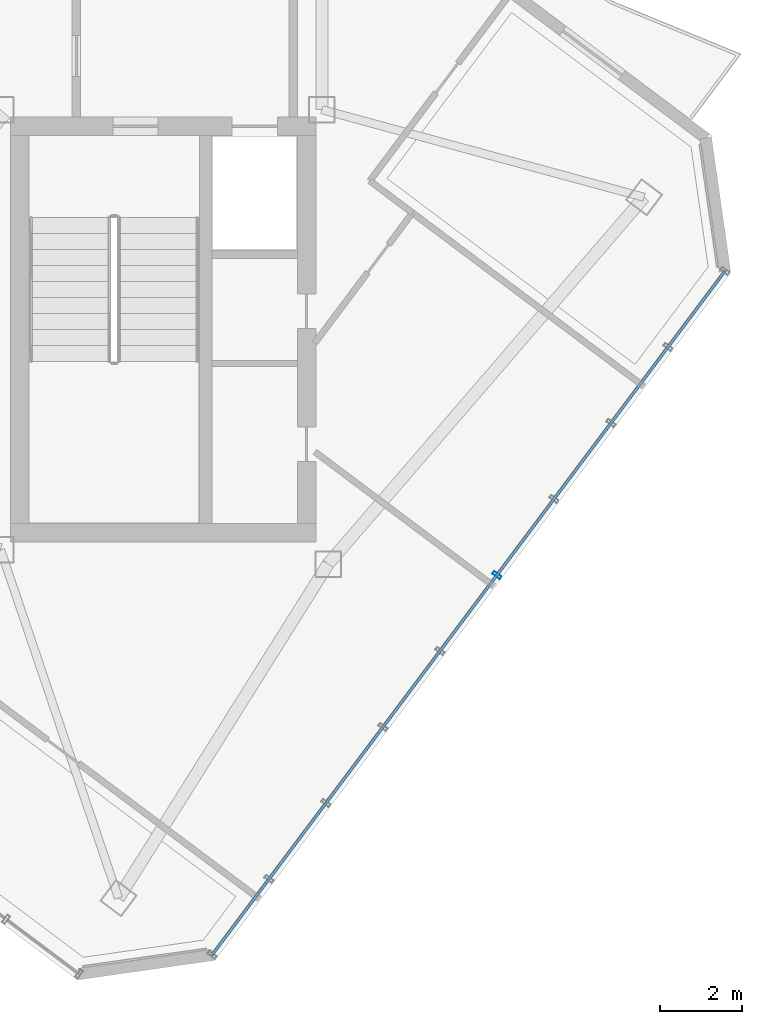
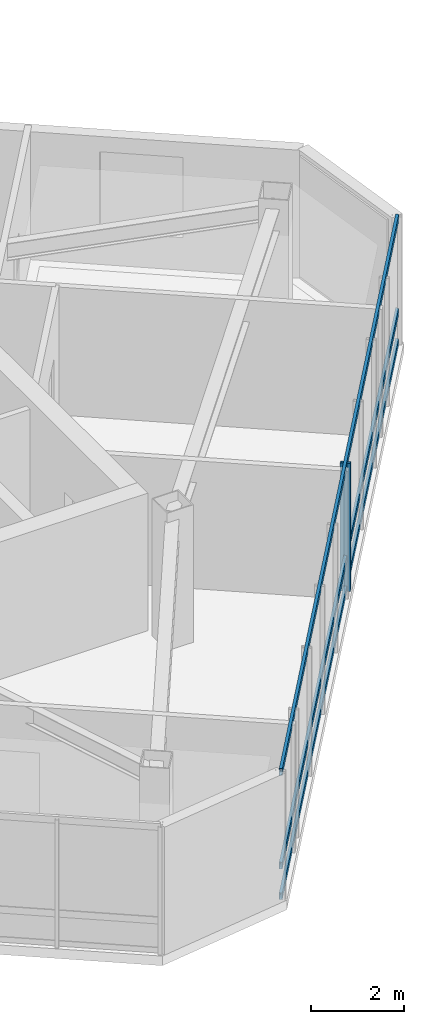
# One storey, part 6 of 17: 4 members, 1 element without a shape of its own.
"""IFC4 building model written with IfcOpenShell, lengths in metres."""

from ifc_helpers import new_model, si_unit, direction, frame, origin, origin_2d, place, context, subcontext, project, spatial, hollow_rectangle, extrude, material, layer, layer_set, material_profile, profile_set, type_object, element, aggregate, save


model = new_model("IFC4")

# Units and contexts
model_context = context("Model", 3, precision=1e-05, world=origin(), true_north=direction((0.0, 1.0)))
body_context = subcontext(model_context, "Body", "Model", "MODEL_VIEW")
ifc_project = project(units=[si_unit("LENGTHUNIT", "METRE"), si_unit("AREAUNIT", "SQUARE_METRE"), si_unit("VOLUMEUNIT", "CUBIC_METRE"), si_unit("PLANEANGLEUNIT", "RADIAN"), si_unit("MASSUNIT", "GRAM", prefix="KILO")], contexts=[model_context])

# Site, building, storey
site_placement = place(None, origin())
site = spatial("IfcSite", under=ifc_project, at=site_placement, CompositionType="ELEMENT")
building_placement = place(site_placement, origin())
building = spatial("IfcBuilding", under=site, at=building_placement, Name="Hatsunagi Terrace Concourse", CompositionType="ELEMENT")
storey_placement = place(building_placement, frame((0.0, 0.0, 253.949951171875)))
storey = spatial("IfcBuildingStorey", under=building, at=storey_placement, Name="L67", CompositionType="ELEMENT", Elevation=253.949951171875)

# Curtain wall, members
ifc_material_1 = material(Name="Anodised Aluminium Alloy 6063-T5", Category="aluminium")
ifc_layer = layer(ifc_material_1, 0.199951171875)
ifc_layer_set = layer_set([ifc_layer], Name="SkyLobbyAtrium_CW05")
curtain_wall_type = type_object("IfcCurtainWallType", Name="SkyLobbyAtrium_CW05", PredefinedType="NOTDEFINED", material=ifc_layer_set)
curtain_wall_placement = place(storey_placement, origin())
curtain_wall = element("IfcCurtainWall", 1, at=curtain_wall_placement, inside=storey, type_object=curtain_wall_type, Name="Unitised Curtain Wall CW-05 CW-L67-03", PredefinedType="NOTDEFINED")
ifc_material_2 = material(Name="Anodised Aluminium Alloy 6063-T5", Category="aluminium")
ifc_material_profile_1 = material_profile(ifc_material_2, hollow_rectangle(XDim=0.080078125, YDim=0.219970703125, WallThickness=0.0048828125, at=origin_2d()), Name="ALU-MUL-220x80x5")
ifc_profile_set_1 = profile_set([ifc_material_profile_1], Name="Anodised Aluminium Alloy 6063-T5")
member_type_1 = type_object("IfcMemberType", Name="CurtainWallMullion_Heavy_220x80", PredefinedType="MULLION", material=ifc_profile_set_1)
member_1_placement = place(storey_placement, frame((47.924072265625, 23.931884765625, 0.0), z_axis=(0.0, 0.0, 1.0), x_axis=(-0.599969314634, -0.800023013105, 0.0)))
member_1 = element("IfcMember", 2, at=member_1_placement, type_object=member_type_1, Name="Curtain Wall Mullion MUL-01", PredefinedType="MULLION", context=body_context, shape_type="SweptSolid", body=[
    extrude(hollow_rectangle(XDim=0.080078125, YDim=0.219970703125, WallThickness=0.0048828125, at=origin_2d()), origin(), (0.0, 0.0, 1.0), 3.35009765625),
])
ifc_material_3 = material(Name="Anodised Aluminium Alloy 6063-T5", Category="aluminium")
ifc_material_profile_2 = material_profile(ifc_material_3, hollow_rectangle(XDim=0.070068359375, YDim=0.179931640625, WallThickness=0.00390625, at=origin_2d()), Name="ALU-TRN-180x70x4")
ifc_profile_set_2 = profile_set([ifc_material_profile_2], Name="Anodised Aluminium Alloy 6063-T5")
member_type_2 = type_object("IfcMemberType", Name="CurtainWallTransom_Heavy_180x70", PredefinedType="USERDEFINED", material=ifc_profile_set_2)
member_2_placement = place(storey_placement, frame((53.492919921875, 31.35791015625, 0.050048828125), z_axis=(-0.599970072971, -0.800022444397, 0.0), x_axis=(0.800022444397, -0.599970072971, 0.0)))
member_2 = element("IfcMember", 3, at=member_2_placement, type_object=member_type_2, Name="Curtain Wall Transom TRN-01", ObjectType="TRANSOM", PredefinedType="USERDEFINED", context=body_context, shape_type="SweptSolid", body=[
    extrude(hollow_rectangle(XDim=0.070068359375, YDim=0.179931640625, WallThickness=0.00390625, at=origin_2d()), origin(), (0.0, 0.0, 1.0), 20.884521484375),
])
member_3_placement = place(storey_placement, frame((53.492919921875, 31.35791015625, 0.85009765625), z_axis=(-0.599970072971, -0.800022444397, 0.0), x_axis=(0.800022444397, -0.599970072971, 0.0)))
member_3 = element("IfcMember", 4, at=member_3_placement, type_object=member_type_2, Name="Curtain Wall Transom TRN-01", ObjectType="TRANSOM", PredefinedType="USERDEFINED", context=body_context, shape_type="SweptSolid", body=[
    extrude(hollow_rectangle(XDim=0.070068359375, YDim=0.179931640625, WallThickness=0.00390625, at=origin_2d()), origin(), (0.0, 0.0, 1.0), 20.884521484375),
])
member_4_placement = place(storey_placement, frame((53.492919921875, 31.35791015625, 3.300048828125), z_axis=(-0.599970072971, -0.800022444397, 0.0), x_axis=(0.800022444397, -0.599970072971, 0.0)))
member_4 = element("IfcMember", 5, at=member_4_placement, type_object=member_type_2, Name="Curtain Wall Transom TRN-01", ObjectType="TRANSOM", PredefinedType="USERDEFINED", context=body_context, shape_type="SweptSolid", body=[
    extrude(hollow_rectangle(XDim=0.070068359375, YDim=0.179931640625, WallThickness=0.00390625, at=origin_2d()), origin(), (0.0, 0.0, 1.0), 20.884521484375),
])
aggregate(curtain_wall, [member_1, member_2, member_3, member_4])

save(model, "model.ifc")
